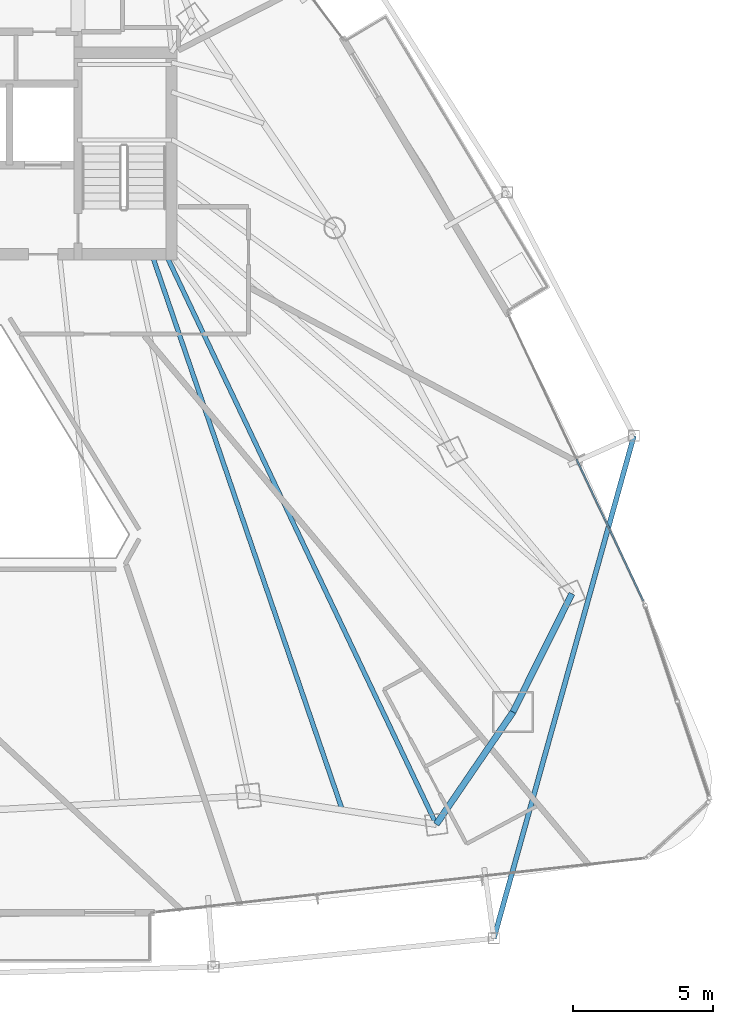
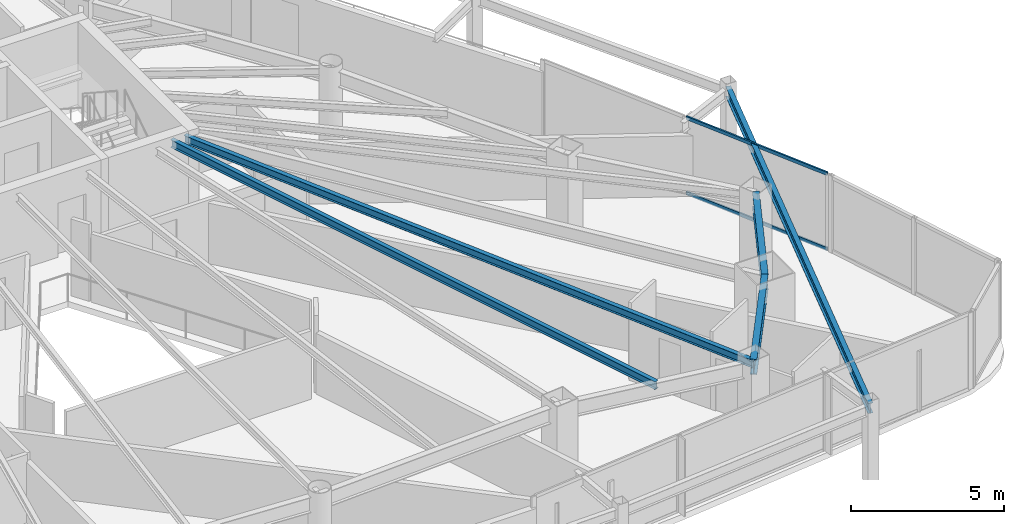
# One storey, part 14 of 31: 5 beams, 2 members, 1 element without a shape of its own.
"""IFC4 building model written with IfcOpenShell, lengths in metres."""

from ifc_helpers import new_model, si_unit, direction, frame, origin, origin_2d, place, context, subcontext, project, spatial, hollow_rectangle, i_section, extrude, material, layer, layer_set, material_profile, profile_set, type_object, element, aggregate, save


model = new_model("IFC4")

# Units and contexts
model_context = context("Model", 3, precision=1e-05, world=origin(), true_north=direction((0.0, 1.0)))
body_context = subcontext(model_context, "Body", "Model", "MODEL_VIEW")
ifc_project = project(units=[si_unit("LENGTHUNIT", "METRE"), si_unit("AREAUNIT", "SQUARE_METRE"), si_unit("VOLUMEUNIT", "CUBIC_METRE"), si_unit("PLANEANGLEUNIT", "RADIAN"), si_unit("MASSUNIT", "GRAM", prefix="KILO")], contexts=[model_context])

# Site, building, storey
site_placement = place(None, origin())
site = spatial("IfcSite", under=ifc_project, at=site_placement, CompositionType="ELEMENT")
building_placement = place(site_placement, origin())
building = spatial("IfcBuilding", under=site, at=building_placement, Name="Orvanel Arch Residences", CompositionType="ELEMENT")
storey_placement = place(building_placement, frame((0.0, 0.0, 126.5)))
storey = spatial("IfcBuildingStorey", under=building, at=storey_placement, Name="L35", CompositionType="ELEMENT", Elevation=126.5)

# Beams
ifc_material_1 = material(Name="Structural steel AS/NZS 3679.1 Grade 300 (300 MPa)", Category="steel")
ifc_material_profile_1 = material_profile(ifc_material_1, i_section(OverallWidth=0.1650390625, OverallDepth=0.303955078125, WebThickness=0.006103515625, FlangeThickness=0.01025390625, at=origin_2d()), Name="310UB40.4")
ifc_profile_set_1 = profile_set([ifc_material_profile_1], Name="Structural steel AS/NZS 3679.1 Grade 300 (300 MPa)")
beam_type_1 = type_object("IfcBeamType", Name="BJ-310UB", PredefinedType="JOIST", material=ifc_profile_set_1)
beam_1_placement = place(storey_placement, frame((39.39990234375, 26.699951171875, 2.907958984375), z_axis=(0.428614365266, -0.903487534993, 0.0), x_axis=(0.903487534993, 0.428614365266, 0.0)))
element("IfcBeam", 1, at=beam_1_placement, inside=storey, type_object=beam_type_1, Name="L35 MSE Wing Floor Joist", PredefinedType="JOIST", context=body_context, shape_type="SweptSolid", body=[
    extrude(i_section(OverallWidth=0.1650390625, OverallDepth=0.303955078125, WebThickness=0.006103515625, FlangeThickness=0.01025390625, at=origin_2d()), origin(), (0.0, 0.0, 1.0), 22.535888671875),
])
beam_2_placement = place(storey_placement, frame((38.89990234375, 26.699951171875, 2.907958984375), z_axis=(0.324257108963, -0.945968988544, 0.0), x_axis=(0.945968988544, 0.324257108963, 0.0)))
element("IfcBeam", 2, at=beam_2_placement, inside=storey, type_object=beam_type_1, Name="L35 JADD2 Wing Floor Joist", PredefinedType="JOIST", context=body_context, shape_type="SweptSolid", body=[
    extrude(i_section(OverallWidth=0.1650390625, OverallDepth=0.303955078125, WebThickness=0.006103515625, FlangeThickness=0.01025390625, at=origin_2d()), origin(), (0.0, 0.0, 1.0), 20.987060546875),
])
ifc_material_profile_2 = material_profile(ifc_material_1, i_section(OverallWidth=0.177978515625, OverallDepth=0.406005859375, WebThickness=0.0078125, FlangeThickness=0.0126953125, at=origin_2d()), Name="410UB59.7")
ifc_profile_set_2 = profile_set([ifc_material_profile_2], Name="Structural steel AS/NZS 3679.1 Grade 300 (300 MPa)")
beam_type_2 = type_object("IfcBeamType", Name="OB-410UB-EXT", PredefinedType="SPANDREL", material=ifc_profile_set_2)
beam_3_placement = place(storey_placement, frame((51.116943359375, 2.26708984375, 2.85693359375), z_axis=(0.268412192223, 0.963304155013, 0.0), x_axis=(-0.963304155013, 0.268412192223, 0.0)))
element("IfcBeam", 3, at=beam_3_placement, inside=storey, type_object=beam_type_2, Name="L35 Outer Perimeter Floor Ring Beam 08", PredefinedType="SPANDREL", context=body_context, shape_type="SweptSolid", body=[
    extrude(i_section(OverallWidth=0.177978515625, OverallDepth=0.406005859375, WebThickness=0.0078125, FlangeThickness=0.0126953125, at=origin_2d()), origin(), (0.0, 0.0, 1.0), 18.631591796875),
])
ifc_material_profile_3 = material_profile(ifc_material_1, i_section(OverallWidth=0.22900390625, OverallDepth=0.612060546875, WebThickness=0.011962890625, FlangeThickness=0.01953125, at=origin_2d()), Name="610UB125")
ifc_profile_set_3 = profile_set([ifc_material_profile_3], Name="Structural steel AS/NZS 3679.1 Grade 300 (300 MPa)")
beam_type_3 = type_object("IfcBeamType", Name="SP-610UB", PredefinedType="SPANDREL", material=ifc_profile_set_3)
beam_4_placement = place(storey_placement, frame((49.05908203125, 6.339111328125, 2.75390625), z_axis=(0.564251579852, 0.825602903722, 0.0), x_axis=(-0.825602903722, 0.564251579852, 0.0)))
element("IfcBeam", 4, at=beam_4_placement, inside=storey, type_object=beam_type_3, Name="L35 Perimeter Spandrel Beam 08", PredefinedType="SPANDREL", context=body_context, shape_type="SweptSolid", body=[
    extrude(i_section(OverallWidth=0.22900390625, OverallDepth=0.612060546875, WebThickness=0.011962890625, FlangeThickness=0.01953125, at=origin_2d()), origin(), (0.0, 0.0, 1.0), 4.859375),
])
beam_5_placement = place(storey_placement, frame((51.801025390625, 10.35107421875, 2.75390625), z_axis=(0.44543469453, 0.895314432425, 0.0), x_axis=(-0.895314432425, 0.44543469453, 0.0)))
element("IfcBeam", 5, at=beam_5_placement, inside=storey, type_object=beam_type_3, Name="L35 Perimeter Spandrel Beam 09", PredefinedType="SPANDREL", context=body_context, shape_type="SweptSolid", body=[
    extrude(i_section(OverallWidth=0.22900390625, OverallDepth=0.612060546875, WebThickness=0.011962890625, FlangeThickness=0.01953125, at=origin_2d()), origin(), (0.0, 0.0, 1.0), 4.723388671875),
])

# Curtain wall, members
ifc_material_2 = material(Name="Bronze-anodised aluminium AA6063-T6", Category="aluminium")
ifc_layer = layer(ifc_material_2, 0.179931640625)
ifc_layer_set = layer_set([ifc_layer], Name="Bronze-anodised aluminium AA6063-T6")
curtain_wall_type = type_object("IfcCurtainWallType", Name="CW3-MID-SYS", PredefinedType="NOTDEFINED", material=ifc_layer_set)
curtain_wall_placement = place(storey_placement, origin())
curtain_wall = element("IfcCurtainWall", 6, at=curtain_wall_placement, inside=storey, type_object=curtain_wall_type, Name="L35 CW3-MID-SYS Unitised Curtain Wall", PredefinedType="NOTDEFINED")
ifc_material_profile_4 = material_profile(ifc_material_2, hollow_rectangle(XDim=0.06005859375, YDim=0.135009765625, WallThickness=0.00390625, at=origin_2d()), Name="ALU135x60x4")
ifc_profile_set_4 = profile_set([ifc_material_profile_4], Name="Bronze-anodised aluminium AA6063-T6")
member_type = type_object("IfcMemberType", Name="TRN-135x60", PredefinedType="USERDEFINED", material=ifc_profile_set_4)
member_1_placement = place(storey_placement, frame((56.453125, 14.318359375, 0.030029296875), z_axis=(-0.426208344107, 0.904625031388, 0.0), x_axis=(-0.904625031388, -0.426208344107, 0.0)))
member_1 = element("IfcMember", 7, at=member_1_placement, type_object=member_type, Name="CW-S3 transom 1.1", ObjectType="TRANSOM", PredefinedType="USERDEFINED", context=body_context, shape_type="SweptSolid", body=[
    extrude(hollow_rectangle(XDim=0.06005859375, YDim=0.135009765625, WallThickness=0.00390625, at=origin_2d()), origin(), (0.0, 0.0, 1.0), 5.602294921875),
])
member_2_placement = place(storey_placement, frame((56.453125, 14.318359375, 3.030029296875), z_axis=(-0.426208344107, 0.904625031388, 0.0), x_axis=(-0.904625031388, -0.426208344107, 0.0)))
member_2 = element("IfcMember", 8, at=member_2_placement, type_object=member_type, Name="CW-S3 transom 1.2", ObjectType="TRANSOM", PredefinedType="USERDEFINED", context=body_context, shape_type="SweptSolid", body=[
    extrude(hollow_rectangle(XDim=0.06005859375, YDim=0.135009765625, WallThickness=0.00390625, at=origin_2d()), origin(), (0.0, 0.0, 1.0), 5.602294921875),
])
aggregate(curtain_wall, [member_1, member_2])

save(model, "model.ifc")
